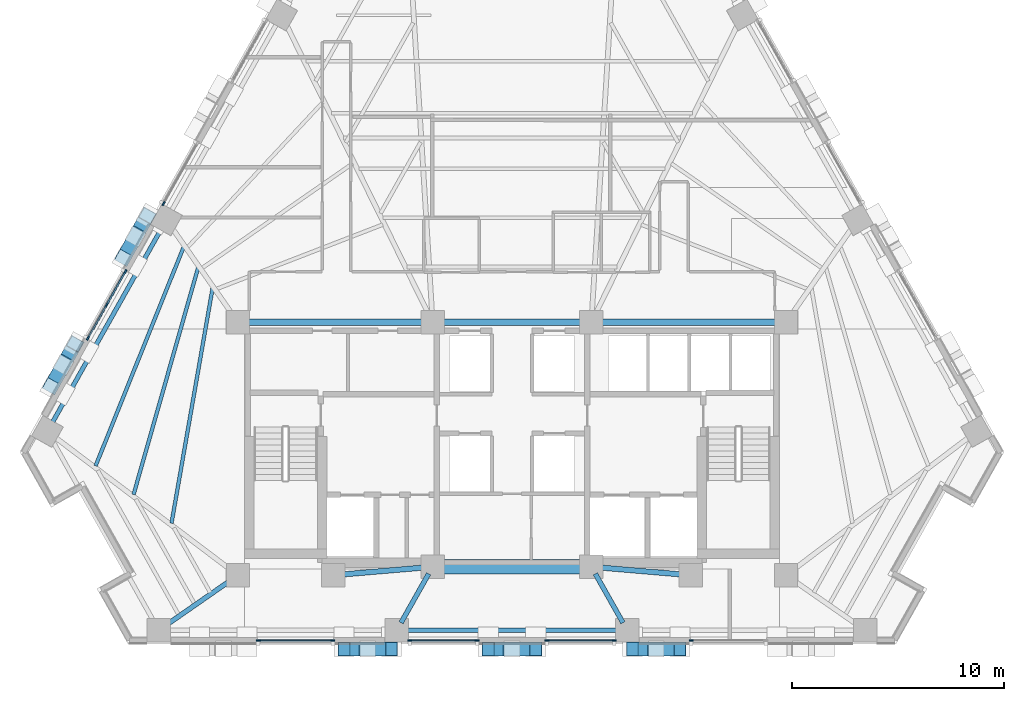
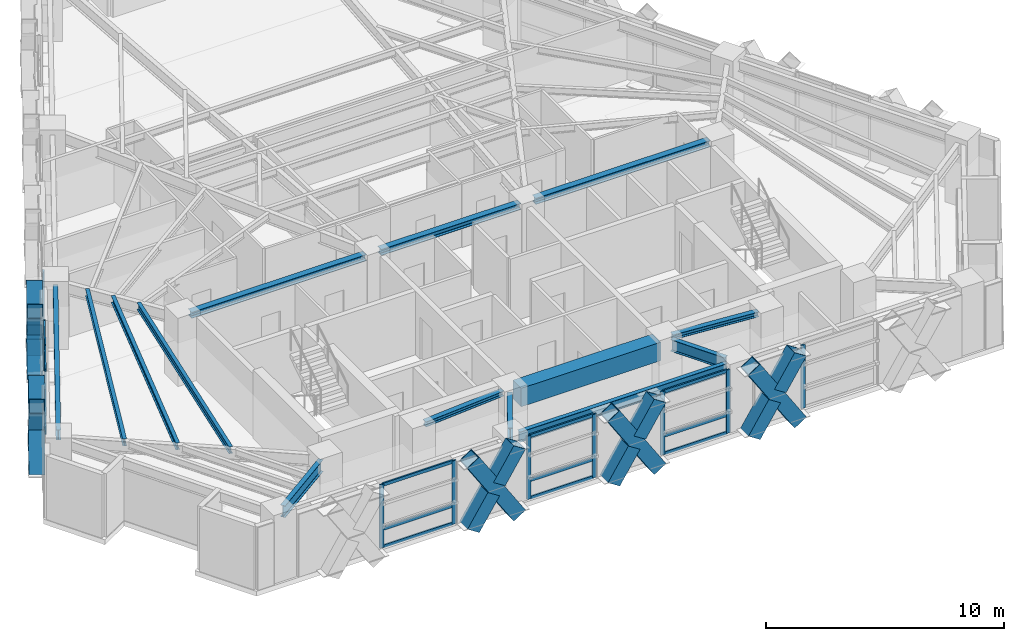
# One storey, part 2 of 14: 41 members, 14 beams, 6 elements without a shape of their own.
"""IFC4 building model written with IfcOpenShell, lengths in metres."""

import ifcopenshell
import ifcopenshell.guid

model = None  # the IFC model being written
_history = None  # IfcOwnerHistory: only IFC2X3 demands one
_inside = {}  # id of a spatial element -> (the spatial element, [elements in it])
_under = {}  # id of a project, library or spatial element -> (it, [spatial elements below it])
_declared = {}  # id of a project -> (the project, [libraries it declares])
_typed = {}  # id of a type object -> (the type object, [elements of that type])
_made_of = {}  # id of a material, layer set ... -> (it, [elements and type objects made of it])


def new_model(schema):
    """Start an empty IFC model of exactly this schema.

    Asked for "IFC4X3", IfcOpenShell would pick the latest addendum, in which some entities
    have other attributes; the version numbers below select the first issue.
    IFC2X3 requires an IfcOwnerHistory on every rooted entity: one is made here for all.
    """
    global model, _history
    if schema == "IFC4X3":
        model = ifcopenshell.file(schema_version=(4, 3, 0, 0))
    else:
        model = ifcopenshell.file(schema=schema)
    _inside.clear()
    _under.clear()
    _declared.clear()
    _typed.clear()
    _made_of.clear()
    _history = None
    if model.schema == "IFC2X3":
        org = make("IfcOrganization", Name="unknown")
        user = make(
            "IfcPersonAndOrganization",
            ThePerson=make("IfcPerson", FamilyName="unknown"),
            TheOrganization=org,
        )
        app = make(
            "IfcApplication",
            ApplicationDeveloper=org,
            Version="unknown",
            ApplicationFullName="unknown",
            ApplicationIdentifier="unknown",
        )
        _history = make(
            "IfcOwnerHistory",
            OwningUser=user,
            OwningApplication=app,
            ChangeAction="ADDED",
            CreationDate=0,
        )
    return model


def make(cls, **values):
    """One entity of the class cls with the attributes given. An attribute that is None is left unset."""
    return model.create_entity(
        cls, **{name: value for name, value in values.items() if value is not None}
    )


def rooted(cls, **values):
    """An entity with a GlobalId (a new one), such as an element, a storey or a relation."""
    return make(cls, GlobalId=ifcopenshell.guid.new(), OwnerHistory=_history, **values)


def si_unit(unit_type, name, prefix=None):
    """IfcSIUnit, for example si_unit("LENGTHUNIT", "METRE", prefix="MILLI")."""
    return make("IfcSIUnit", UnitType=unit_type, Prefix=prefix, Name=name)


def assignment(units):
    """IfcUnitAssignment: the units of a project."""
    return None if units is None else make("IfcUnitAssignment", Units=units)


def point(xyz):
    """IfcCartesianPoint."""
    return None if xyz is None else make("IfcCartesianPoint", Coordinates=xyz)


def direction(xyz):
    """IfcDirection."""
    return None if xyz is None else make("IfcDirection", DirectionRatios=xyz)


def frame(location, z_axis=None, x_axis=None):
    """IfcAxis2Placement3D, a coordinate frame: its origin and axes. An axis left out is left unset."""
    return make(
        "IfcAxis2Placement3D",
        Location=point(location),
        Axis=direction(z_axis),
        RefDirection=direction(x_axis),
    )


def frame_2d(location, x_axis=None):
    """IfcAxis2Placement2D, a coordinate frame in the plane: its origin and x axis."""
    return make(
        "IfcAxis2Placement2D", Location=point(location), RefDirection=direction(x_axis)
    )


def origin():
    """The frame at (0, 0, 0) with its axes left unset."""
    return frame((0.0, 0.0, 0.0))


def origin_2d():
    """The frame at (0, 0) in the plane with its x axis left unset."""
    return frame_2d((0.0, 0.0))


def place(relative_to, where):
    """IfcLocalPlacement: puts the frame where relative to a parent placement (None: the world)."""
    return make(
        "IfcLocalPlacement", PlacementRelTo=relative_to, RelativePlacement=where
    )


def context(
    kind, dimensions, precision=None, world=None, true_north=None, identifier=None
):
    """IfcGeometricRepresentationContext, for example the 3D "Model" context."""
    return make(
        "IfcGeometricRepresentationContext",
        ContextIdentifier=identifier,
        ContextType=kind,
        CoordinateSpaceDimension=dimensions,
        Precision=precision,
        WorldCoordinateSystem=world,
        TrueNorth=true_north,
    )


def subcontext(parent, identifier, kind, view, scale=None):
    """IfcGeometricRepresentationSubContext, for example "Body" below "Model"."""
    return make(
        "IfcGeometricRepresentationSubContext",
        ContextIdentifier=identifier,
        ContextType=kind,
        ParentContext=parent,
        TargetScale=scale,
        TargetView=view,
    )


def project(units=None, contexts=None):
    """IfcProject with its units and contexts."""
    return rooted(
        "IfcProject",
        Name="project",
        RepresentationContexts=contexts,
        UnitsInContext=assignment(units),
    )


def spatial(cls, under=None, at=None, **own):
    """A site, building, storey or space (cls), placed at a placement, below another one or the project."""
    s = rooted(cls, ObjectPlacement=at, **own)
    if under is not None:
        _under.setdefault(under.id(), (under, []))[1].append(s)
    return s


def profile(cls, at=None, kind="AREA", **sizes):
    """A parametric profile (cls). Its sizes go by their IFC names, for example OverallWidth=200.0."""
    return make(cls, ProfileType=kind, Position=at, **sizes)


def rectangle(**sizes):
    """IfcRectangleProfileDef."""
    return profile("IfcRectangleProfileDef", **sizes)


def hollow_rectangle(**sizes):
    """IfcRectangleHollowProfileDef."""
    return profile("IfcRectangleHollowProfileDef", **sizes)


def i_section(**sizes):
    """IfcIShapeProfileDef."""
    return profile("IfcIShapeProfileDef", **sizes)


def extrude(swept, where, along, depth):
    """IfcExtrudedAreaSolid: the profile swept, set in the frame where, extruded along a direction by depth."""
    return make(
        "IfcExtrudedAreaSolid",
        SweptArea=swept,
        Position=where,
        ExtrudedDirection=direction(along),
        Depth=depth,
    )


def shape(context_of_items, identifier, shape_type, items):
    """IfcShapeRepresentation: the items that make up one representation, for example the "Body"."""
    return make(
        "IfcShapeRepresentation",
        ContextOfItems=context_of_items,
        RepresentationIdentifier=identifier,
        RepresentationType=shape_type,
        Items=items,
    )


def material(Name=None, Category=None):
    """IfcMaterial."""
    return make("IfcMaterial", Name=Name, Category=Category)


def material_profile(
    of_material, cross_section, Name=None, Category=None, Priority=None
):
    """IfcMaterialProfile: a cross section and its material."""
    return make(
        "IfcMaterialProfile",
        Name=Name,
        Material=of_material,
        Profile=cross_section,
        Priority=Priority,
        Category=Category,
    )


def profile_set(profiles, Name=None, composite=None):
    """IfcMaterialProfileSet."""
    return make(
        "IfcMaterialProfileSet",
        Name=Name,
        MaterialProfiles=profiles,
        CompositeProfile=composite,
    )


def made_of(thing, what):
    """Note that an element or type object is made of a material, layer set ...; save() writes the relation."""
    if what is not None:
        _made_of.setdefault(what.id(), (what, []))[1].append(thing)
    return thing


def type_object(cls, material=None, **own):
    """A type object (cls), such as IfcWallType, which elements share."""
    return made_of(rooted(cls, **own), material)


def element(
    cls,
    number,
    at=None,
    inside=None,
    cuts=None,
    type_object=None,
    material=None,
    context=None,
    identifier="Body",
    shape_type=None,
    held_by="IfcProductDefinitionShape",
    body=None,
    shapes=None,
    **own,
):
    """One element of the class cls, such as IfcWall. Its Tag is "e" and its number.

    at: its placement. inside: the storey or other place that contains it. cuts: it is an
    opening in that element (IfcRelVoidsElement). A single representation is given by context,
    identifier, shape_type and body (its items); several are given by shapes. held_by: the class
    of the entity that holds the representations. save() writes the other relations.
    """
    e = rooted(cls, Tag="e%d" % number, ObjectPlacement=at, **own)
    if body is not None:
        shapes = [shape(context, identifier, shape_type, body)]
    if shapes is not None:
        e.Representation = make(held_by, Representations=shapes)
    if inside is not None:
        _inside.setdefault(inside.id(), (inside, []))[1].append(e)
    if cuts is not None:
        rooted(
            "IfcRelVoidsElement", RelatingBuildingElement=cuts, RelatedOpeningElement=e
        )
    if type_object is not None:
        _typed.setdefault(type_object.id(), (type_object, []))[1].append(e)
    return made_of(e, material)


def aggregate(whole, parts):
    """IfcRelAggregates: a whole, such as a stair, and the parts it consists of."""
    return rooted("IfcRelAggregates", RelatingObject=whole, RelatedObjects=parts)


def save(model, path):
    """Write the relations noted so far, then the file.

    IfcRelAggregates (storeys below a building ...), IfcRelContainedInSpatialStructure (elements
    in a storey), IfcRelDefinesByType, IfcRelAssociatesMaterial and IfcRelDeclares: one each for
    every whole, place, type object, material and project.
    """
    for whole, parts in _under.values():
        aggregate(whole, parts)
    for where, things in _inside.values():
        rooted(
            "IfcRelContainedInSpatialStructure",
            RelatedElements=things,
            RelatingStructure=where,
        )
    for kind, things in _typed.values():
        rooted("IfcRelDefinesByType", RelatedObjects=things, RelatingType=kind)
    for what, things in _made_of.values():
        rooted("IfcRelAssociatesMaterial", RelatedObjects=things, RelatingMaterial=what)
    for by, libraries in _declared.values():
        rooted("IfcRelDeclares", RelatingContext=by, RelatedDefinitions=libraries)
    model.write(path)


model = new_model("IFC4")

# Units and contexts
model_context = context("Model", 3, precision=1e-05, world=origin(), true_north=direction((0.0, 1.0)))
body_context = subcontext(model_context, "Body", "Model", "MODEL_VIEW")
ifc_project = project(units=[si_unit("LENGTHUNIT", "METRE"), si_unit("AREAUNIT", "SQUARE_METRE"), si_unit("VOLUMEUNIT", "CUBIC_METRE"), si_unit("PLANEANGLEUNIT", "RADIAN"), si_unit("MASSUNIT", "GRAM", prefix="KILO")], contexts=[model_context])

# Site, building, storey
site_placement = place(None, origin())
site = spatial("IfcSite", under=ifc_project, at=site_placement, CompositionType="ELEMENT")
building_placement = place(site_placement, origin())
building = spatial("IfcBuilding", under=site, at=building_placement, Name="Quenlor Broadcast Tower", CompositionType="ELEMENT")
storey_placement = place(building_placement, frame((0.0, 0.0, 123.0)))
storey = spatial("IfcBuildingStorey", under=building, at=storey_placement, Name="L33", CompositionType="ELEMENT", Elevation=123.0)

# Curtain wall, member
ifc_material_1 = material(Name="Architectural Terracotta and Low-E Glazing", Category="masonry")
curtain_wall_type = type_object("IfcCurtainWallType", Name="Unitised Terracotta Curtain Wall System Z2", PredefinedType="NOTDEFINED", material=ifc_material_1)
curtain_wall_1_placement = place(storey_placement, origin())
curtain_wall_1 = element("IfcCurtainWall", 1, at=curtain_wall_1_placement, inside=storey, type_object=curtain_wall_type, Name="L33 Curtain Wall CW2 (L33-SA-G1)", PredefinedType="NOTDEFINED")
ifc_material_2 = material(Name="Aluminium 6063-T6", Category="aluminium")
ifc_material_profile_1 = material_profile(ifc_material_2, rectangle(XDim=0.074951171875, YDim=0.199951171875, at=origin_2d()))
ifc_profile_set_1 = profile_set([ifc_material_profile_1], Name="Aluminium 6063-T6 MULL75x200")
member_type_1 = type_object("IfcMemberType", Name="CW2 Aluminium Mullion MULL_CW2", PredefinedType="MULLION", material=ifc_profile_set_1)
member_1_placement = place(storey_placement, frame((8.47119140625, -19.840087890625, 0.0), z_axis=(0.0, 0.0, 1.0), x_axis=(0.0, -1.0, 0.0)))
member_1 = element("IfcMember", 2, at=member_1_placement, type_object=member_type_1, Name="CW2 mullion 2", PredefinedType="MULLION", context=body_context, shape_type="SweptSolid", body=[
    extrude(rectangle(XDim=0.074951171875, YDim=0.199951171875, at=origin_2d()), origin(), (0.0, 0.0, 1.0), 3.25),
])
aggregate(curtain_wall_1, [member_1])

# Curtain wall, members
curtain_wall_2_placement = place(storey_placement, origin())
curtain_wall_2 = element("IfcCurtainWall", 3, at=curtain_wall_2_placement, inside=storey, type_object=curtain_wall_type, Name="L33 Curtain Wall CW2 (L33-SC-G1)", PredefinedType="NOTDEFINED")
member_2_placement = place(storey_placement, frame((-8.47119140625, -19.840087890625, 0.0), z_axis=(0.0, 0.0, 1.0), x_axis=(0.0, -1.0, 0.0)))
member_2 = element("IfcMember", 4, at=member_2_placement, type_object=member_type_1, Name="CW2 mullion 1", PredefinedType="MULLION", context=body_context, shape_type="SweptSolid", body=[
    extrude(rectangle(XDim=0.074951171875, YDim=0.199951171875, at=origin_2d()), origin(), (0.0, 0.0, 1.0), 3.25),
])
member_3_placement = place(storey_placement, frame((-11.981689453125, -19.840087890625, 0.0), z_axis=(0.0, 0.0, 1.0), x_axis=(0.0, -1.0, 0.0)))
member_3 = element("IfcMember", 5, at=member_3_placement, type_object=member_type_1, Name="CW2 mullion 2", PredefinedType="MULLION", context=body_context, shape_type="SweptSolid", body=[
    extrude(rectangle(XDim=0.074951171875, YDim=0.199951171875, at=origin_2d()), origin(), (0.0, 0.0, 1.0), 3.25),
])

curtain_wall_3_placement = place(storey_placement, origin())
curtain_wall_3 = element("IfcCurtainWall", 6, at=curtain_wall_3_placement, inside=storey, type_object=curtain_wall_type, Name="L33 Curtain Wall CW2 (L33-S-G1)", PredefinedType="NOTDEFINED")
member_4_placement = place(storey_placement, frame((4.835693359375, -19.840087890625, 0.0), z_axis=(0.0, 0.0, 1.0), x_axis=(0.0, -1.0, 0.0)))
member_4 = element("IfcMember", 7, at=member_4_placement, type_object=member_type_1, Name="CW2 mullion 1", PredefinedType="MULLION", context=body_context, shape_type="SweptSolid", body=[
    extrude(rectangle(XDim=0.074951171875, YDim=0.199951171875, at=origin_2d()), origin(), (0.0, 0.0, 1.0), 3.25),
])
member_5_placement = place(storey_placement, frame((1.653564453125, -19.840087890625, 0.0), z_axis=(0.0, 0.0, 1.0), x_axis=(0.0, -1.0, 0.0)))
member_5 = element("IfcMember", 8, at=member_5_placement, type_object=member_type_1, Name="CW2 mullion 2", PredefinedType="MULLION", context=body_context, shape_type="SweptSolid", body=[
    extrude(rectangle(XDim=0.074951171875, YDim=0.199951171875, at=origin_2d()), origin(), (0.0, 0.0, 1.0), 3.25),
])

curtain_wall_4_placement = place(storey_placement, origin())
curtain_wall_4 = element("IfcCurtainWall", 9, at=curtain_wall_4_placement, inside=storey, type_object=curtain_wall_type, Name="L33 Curtain Wall CW2 (L33-S-G2)", PredefinedType="NOTDEFINED")
member_6_placement = place(storey_placement, frame((-1.653564453125, -19.840087890625, 0.0), z_axis=(0.0, 0.0, 1.0), x_axis=(0.0, -1.0, 0.0)))
member_6 = element("IfcMember", 10, at=member_6_placement, type_object=member_type_1, Name="CW2 mullion 1", PredefinedType="MULLION", context=body_context, shape_type="SweptSolid", body=[
    extrude(rectangle(XDim=0.074951171875, YDim=0.199951171875, at=origin_2d()), origin(), (0.0, 0.0, 1.0), 3.25),
])
member_7_placement = place(storey_placement, frame((-4.835693359375, -19.840087890625, 0.0), z_axis=(0.0, 0.0, 1.0), x_axis=(0.0, -1.0, 0.0)))
member_7 = element("IfcMember", 11, at=member_7_placement, type_object=member_type_1, Name="CW2 mullion 2", PredefinedType="MULLION", context=body_context, shape_type="SweptSolid", body=[
    extrude(rectangle(XDim=0.074951171875, YDim=0.199951171875, at=origin_2d()), origin(), (0.0, 0.0, 1.0), 3.25),
])

curtain_wall_5_placement = place(storey_placement, origin())
curtain_wall_5 = element("IfcCurtainWall", 12, at=curtain_wall_5_placement, inside=storey, type_object=curtain_wall_type, Name="L33 Curtain Wall CW2 (L33-NWA-G1)", PredefinedType="NOTDEFINED")
member_8_placement = place(storey_placement, frame((-20.0400390625, -5.55322265625, 0.0), z_axis=(0.0, 0.0, 1.0), x_axis=(-0.871566839915, 0.490276701018, 0.0)))
member_8 = element("IfcMember", 13, at=member_8_placement, type_object=member_type_1, Name="CW2 mullion 1", PredefinedType="MULLION", context=body_context, shape_type="SweptSolid", body=[
    extrude(rectangle(XDim=0.074951171875, YDim=0.199951171875, at=origin_2d()), origin(), (0.0, 0.0, 1.0), 3.25),
])
member_9_placement = place(storey_placement, frame((-19.155029296875, -3.97998046875, 0.0), z_axis=(0.0, 0.0, 1.0), x_axis=(-0.871566839915, 0.490276701018, 0.0)))
member_9 = element("IfcMember", 14, at=member_9_placement, type_object=member_type_1, Name="CW2 mullion 2", PredefinedType="MULLION", context=body_context, shape_type="SweptSolid", body=[
    extrude(rectangle(XDim=0.074951171875, YDim=0.199951171875, at=origin_2d()), origin(), (0.0, 0.0, 1.0), 3.25),
])
member_10_placement = place(storey_placement, frame((-18.270263671875, -2.406982421875, 0.0), z_axis=(0.0, 0.0, 1.0), x_axis=(-0.871566839915, 0.490276701018, 0.0)))
member_10 = element("IfcMember", 15, at=member_10_placement, type_object=member_type_1, Name="CW2 mullion 3", PredefinedType="MULLION", context=body_context, shape_type="SweptSolid", body=[
    extrude(rectangle(XDim=0.074951171875, YDim=0.199951171875, at=origin_2d()), origin(), (0.0, 0.0, 1.0), 3.25),
])

# Curtain wall, member
curtain_wall_6_placement = place(storey_placement, origin())
curtain_wall_6 = element("IfcCurtainWall", 16, at=curtain_wall_6_placement, inside=storey, type_object=curtain_wall_type, Name="L33 Curtain Wall CW2 (L33-NW-G1)", PredefinedType="NOTDEFINED")
member_11_placement = place(storey_placement, frame((-16.459228515625, 0.812744140625, 0.0), z_axis=(0.0, 0.0, 1.0), x_axis=(-0.871575537123, 0.490261239636, 0.0)))
member_11 = element("IfcMember", 17, at=member_11_placement, type_object=member_type_1, Name="CW2 mullion 1", PredefinedType="MULLION", context=body_context, shape_type="SweptSolid", body=[
    extrude(rectangle(XDim=0.074951171875, YDim=0.199951171875, at=origin_2d()), origin(), (0.0, 0.0, 1.0), 3.25),
])
aggregate(curtain_wall_6, [member_11])

# Member
ifc_material_3 = material(Name="Aluminium 6063-T6", Category="aluminium")
ifc_material_profile_2 = material_profile(ifc_material_3, rectangle(XDim=0.074951171875, YDim=0.1650390625, at=origin_2d()))
ifc_profile_set_2 = profile_set([ifc_material_profile_2], Name="Aluminium 6063-T6 TRAN75x165")
member_type_2 = type_object("IfcMemberType", Name="CW2 Aluminium Transom TRAN_CW2", PredefinedType="USERDEFINED", material=ifc_profile_set_2)
member_12_placement = place(storey_placement, frame((-8.508544921875, -19.840087890625, 0.03759765625), z_axis=(-1.0, 0.0, 0.0), x_axis=(0.0, -1.0, 0.0)))
member_12 = element("IfcMember", 18, at=member_12_placement, type_object=member_type_2, Name="CW2 transom 1.1", ObjectType="TRANSOM", PredefinedType="USERDEFINED", context=body_context, shape_type="SweptSolid", body=[
    extrude(rectangle(XDim=0.074951171875, YDim=0.1650390625, at=origin_2d()), origin(), (0.0, 0.0, 1.0), 3.435546875),
])

member_13_placement = place(storey_placement, frame((-8.508544921875, -19.840087890625, 0.949951171875), z_axis=(-1.0, 0.0, 0.0), x_axis=(0.0, -1.0, 0.0)))
member_13 = element("IfcMember", 19, at=member_13_placement, type_object=member_type_2, Name="CW2 transom 1.2", ObjectType="TRANSOM", PredefinedType="USERDEFINED", context=body_context, shape_type="SweptSolid", body=[
    extrude(rectangle(XDim=0.074951171875, YDim=0.1650390625, at=origin_2d()), origin(), (0.0, 0.0, 1.0), 3.435546875),
])

member_14_placement = place(storey_placement, frame((-8.508544921875, -19.840087890625, 3.21240234375), z_axis=(-1.0, 0.0, 0.0), x_axis=(0.0, -1.0, 0.0)))
member_14 = element("IfcMember", 20, at=member_14_placement, type_object=member_type_2, Name="CW2 transom 1.3", ObjectType="TRANSOM", PredefinedType="USERDEFINED", context=body_context, shape_type="SweptSolid", body=[
    extrude(rectangle(XDim=0.074951171875, YDim=0.1650390625, at=origin_2d()), origin(), (0.0, 0.0, 1.0), 3.435546875),
])

aggregate(curtain_wall_2, [member_2, member_3, member_12, member_13, member_14])

member_15_placement = place(storey_placement, frame((4.798095703125, -19.840087890625, 0.03759765625), z_axis=(-1.0, 0.0, 0.0), x_axis=(0.0, -1.0, 0.0)))
member_15 = element("IfcMember", 21, at=member_15_placement, type_object=member_type_2, Name="CW2 transom 1.1", ObjectType="TRANSOM", PredefinedType="USERDEFINED", context=body_context, shape_type="SweptSolid", body=[
    extrude(rectangle(XDim=0.074951171875, YDim=0.1650390625, at=origin_2d()), origin(), (0.0, 0.0, 1.0), 3.107177734375),
])

member_16_placement = place(storey_placement, frame((4.798095703125, -19.840087890625, 0.949951171875), z_axis=(-1.0, 0.0, 0.0), x_axis=(0.0, -1.0, 0.0)))
member_16 = element("IfcMember", 22, at=member_16_placement, type_object=member_type_2, Name="CW2 transom 1.2", ObjectType="TRANSOM", PredefinedType="USERDEFINED", context=body_context, shape_type="SweptSolid", body=[
    extrude(rectangle(XDim=0.074951171875, YDim=0.1650390625, at=origin_2d()), origin(), (0.0, 0.0, 1.0), 3.107177734375),
])

member_17_placement = place(storey_placement, frame((4.798095703125, -19.840087890625, 3.21240234375), z_axis=(-1.0, 0.0, 0.0), x_axis=(0.0, -1.0, 0.0)))
member_17 = element("IfcMember", 23, at=member_17_placement, type_object=member_type_2, Name="CW2 transom 1.3", ObjectType="TRANSOM", PredefinedType="USERDEFINED", context=body_context, shape_type="SweptSolid", body=[
    extrude(rectangle(XDim=0.074951171875, YDim=0.1650390625, at=origin_2d()), origin(), (0.0, 0.0, 1.0), 3.107177734375),
])

aggregate(curtain_wall_3, [member_4, member_5, member_15, member_16, member_17])

member_18_placement = place(storey_placement, frame((-1.69091796875, -19.840087890625, 0.03759765625), z_axis=(-1.0, 0.0, 0.0), x_axis=(0.0, -1.0, 0.0)))
member_18 = element("IfcMember", 24, at=member_18_placement, type_object=member_type_2, Name="CW2 transom 1.1", ObjectType="TRANSOM", PredefinedType="USERDEFINED", context=body_context, shape_type="SweptSolid", body=[
    extrude(rectangle(XDim=0.074951171875, YDim=0.1650390625, at=origin_2d()), origin(), (0.0, 0.0, 1.0), 3.107177734375),
])

member_19_placement = place(storey_placement, frame((-1.69091796875, -19.840087890625, 0.949951171875), z_axis=(-1.0, 0.0, 0.0), x_axis=(0.0, -1.0, 0.0)))
member_19 = element("IfcMember", 25, at=member_19_placement, type_object=member_type_2, Name="CW2 transom 1.2", ObjectType="TRANSOM", PredefinedType="USERDEFINED", context=body_context, shape_type="SweptSolid", body=[
    extrude(rectangle(XDim=0.074951171875, YDim=0.1650390625, at=origin_2d()), origin(), (0.0, 0.0, 1.0), 3.107177734375),
])

member_20_placement = place(storey_placement, frame((-1.69091796875, -19.840087890625, 3.21240234375), z_axis=(-1.0, 0.0, 0.0), x_axis=(0.0, -1.0, 0.0)))
member_20 = element("IfcMember", 26, at=member_20_placement, type_object=member_type_2, Name="CW2 transom 1.3", ObjectType="TRANSOM", PredefinedType="USERDEFINED", context=body_context, shape_type="SweptSolid", body=[
    extrude(rectangle(XDim=0.074951171875, YDim=0.1650390625, at=origin_2d()), origin(), (0.0, 0.0, 1.0), 3.107177734375),
])

aggregate(curtain_wall_4, [member_6, member_7, member_18, member_19, member_20])

member_21_placement = place(storey_placement, frame((-20.021728515625, -5.5205078125, 0.03759765625), z_axis=(0.490261239633, 0.871575537125, 0.0), x_axis=(-0.871575537125, 0.490261239633, 0.0)))
member_21 = element("IfcMember", 27, at=member_21_placement, type_object=member_type_2, Name="CW2 transom 1.1", ObjectType="TRANSOM", PredefinedType="USERDEFINED", context=body_context, shape_type="SweptSolid", body=[
    extrude(rectangle(XDim=0.074951171875, YDim=0.1650390625, at=origin_2d()), origin(), (0.0, 0.0, 1.0), 1.72998046875),
])

member_22_placement = place(storey_placement, frame((-20.021728515625, -5.5205078125, 0.949951171875), z_axis=(0.490261239633, 0.871575537125, 0.0), x_axis=(-0.871575537125, 0.490261239633, 0.0)))
member_22 = element("IfcMember", 28, at=member_22_placement, type_object=member_type_2, Name="CW2 transom 1.2", ObjectType="TRANSOM", PredefinedType="USERDEFINED", context=body_context, shape_type="SweptSolid", body=[
    extrude(rectangle(XDim=0.074951171875, YDim=0.1650390625, at=origin_2d()), origin(), (0.0, 0.0, 1.0), 1.72998046875),
])

member_23_placement = place(storey_placement, frame((-20.021728515625, -5.5205078125, 3.21240234375), z_axis=(0.490261239633, 0.871575537125, 0.0), x_axis=(-0.871575537125, 0.490261239633, 0.0)))
member_23 = element("IfcMember", 29, at=member_23_placement, type_object=member_type_2, Name="CW2 transom 1.3", ObjectType="TRANSOM", PredefinedType="USERDEFINED", context=body_context, shape_type="SweptSolid", body=[
    extrude(rectangle(XDim=0.074951171875, YDim=0.1650390625, at=origin_2d()), origin(), (0.0, 0.0, 1.0), 1.72998046875),
])

member_24_placement = place(storey_placement, frame((-19.13671875, -3.947265625, 0.03759765625), z_axis=(0.490261239633, 0.871575537125, 0.0), x_axis=(-0.871575537125, 0.490261239633, 0.0)))
member_24 = element("IfcMember", 30, at=member_24_placement, type_object=member_type_2, Name="CW2 transom 2.1", ObjectType="TRANSOM", PredefinedType="USERDEFINED", context=body_context, shape_type="SweptSolid", body=[
    extrude(rectangle(XDim=0.074951171875, YDim=0.1650390625, at=origin_2d()), origin(), (0.0, 0.0, 1.0), 1.72998046875),
])

member_25_placement = place(storey_placement, frame((-19.13671875, -3.947265625, 0.949951171875), z_axis=(0.490261239633, 0.871575537125, 0.0), x_axis=(-0.871575537125, 0.490261239633, 0.0)))
member_25 = element("IfcMember", 31, at=member_25_placement, type_object=member_type_2, Name="CW2 transom 2.2", ObjectType="TRANSOM", PredefinedType="USERDEFINED", context=body_context, shape_type="SweptSolid", body=[
    extrude(rectangle(XDim=0.074951171875, YDim=0.1650390625, at=origin_2d()), origin(), (0.0, 0.0, 1.0), 1.72998046875),
])

member_26_placement = place(storey_placement, frame((-19.13671875, -3.947265625, 3.21240234375), z_axis=(0.490261239633, 0.871575537125, 0.0), x_axis=(-0.871575537125, 0.490261239633, 0.0)))
member_26 = element("IfcMember", 32, at=member_26_placement, type_object=member_type_2, Name="CW2 transom 2.3", ObjectType="TRANSOM", PredefinedType="USERDEFINED", context=body_context, shape_type="SweptSolid", body=[
    extrude(rectangle(XDim=0.074951171875, YDim=0.1650390625, at=origin_2d()), origin(), (0.0, 0.0, 1.0), 1.72998046875),
])

aggregate(curtain_wall_5, [member_8, member_9, member_10, member_21, member_22, member_23, member_24, member_25, member_26])

# Beams
ifc_material_4 = material(Name="Concrete C50/60", Category="concrete")
ifc_material_profile_3 = material_profile(ifc_material_4, rectangle(XDim=0.699951171875, YDim=0.949951171875, at=origin_2d()))
ifc_profile_set_3 = profile_set([ifc_material_profile_3], Name="Concrete C50/60 RCB700x950")
beam_type_1 = type_object("IfcBeamType", Name="Core Coupling Beam Concrete C50/60 700x950", PredefinedType="BEAM", material=ifc_profile_set_3)
beam_1_placement = place(storey_placement, frame((-3.389892578125, -16.35009765625, 2.77490234375), z_axis=(1.0, 0.0, 0.0), x_axis=(0.0, 1.0, 0.0)))
element("IfcBeam", 33, at=beam_1_placement, inside=storey, type_object=beam_type_1, Name="L33 Core Coupling Beam 6", PredefinedType="BEAM", context=body_context, shape_type="SweptSolid", body=[
    extrude(rectangle(XDim=0.699951171875, YDim=0.949951171875, at=origin_2d()), origin(), (0.0, 0.0, 1.0), 6.77978515625),
])
ifc_material_5 = material(Name="Steel S355", Category="steel")
ifc_material_profile_4 = material_profile(ifc_material_5, i_section(OverallWidth=0.304931640625, OverallDepth=0.30810546875, WebThickness=0.010009765625, FlangeThickness=0.015380859375, FilletRadius=0.0166015625, at=origin_2d()))
ifc_profile_set_4 = profile_set([ifc_material_profile_4], Name="Steel S355 310UC96.8")
beam_type_2 = type_object("IfcBeamType", Name="Core Header Beam Steel S355 310UC96.8", PredefinedType="BEAM", material=ifc_profile_set_4)
beam_2_placement = place(storey_placement, frame((-3.389892578125, -4.800048828125, 3.095947265625), z_axis=(1.0, 0.0, 0.0), x_axis=(0.0, 1.0, 0.0)))
element("IfcBeam", 34, at=beam_2_placement, inside=storey, type_object=beam_type_2, Name="L33 Core Header Beam 2", PredefinedType="BEAM", context=body_context, shape_type="SweptSolid", body=[
    extrude(i_section(OverallWidth=0.304931640625, OverallDepth=0.30810546875, WebThickness=0.010009765625, FlangeThickness=0.015380859375, FilletRadius=0.0166015625, at=origin_2d()), origin(), (0.0, 0.0, 1.0), 6.77978515625),
])
ifc_material_6 = material(Name="Steel S355", Category="steel")
ifc_material_profile_5 = material_profile(ifc_material_6, i_section(OverallWidth=0.25390625, OverallDepth=0.25390625, WebThickness=0.008544921875, FlangeThickness=0.01416015625, FilletRadius=0.013916015625, at=origin_2d()))
ifc_profile_set_5 = profile_set([ifc_material_profile_5], Name="Steel S355 250UC72.9")
beam_type_3 = type_object("IfcBeamType", Name="Core Opening Lintel Beam Steel S355 250UC72.9", PredefinedType="LINTEL", material=ifc_profile_set_5)
for number, where, z_axis, x_axis, name in (
    (35, (-8.09130859375, -16.719482421875, 3.123046875), (0.996399763903, 0.084779186679, 0.0), (-0.084779186679, 0.996399763903, 0.0), "L33 Core Opening Lintel Beam 4"),
    (36, (4.108642578125, -16.380615234375, 3.123046875), (0.996399763903, -0.084779186679, 0.0), (0.084779186679, 0.996399763903, 0.0), "L33 Core Opening Lintel Beam 5"),
):
    element("IfcBeam", number, at=place(storey_placement, frame(where, z_axis=z_axis, x_axis=x_axis)), inside=storey, type_object=beam_type_3, Name=name, PredefinedType="LINTEL", context=body_context, shape_type="SweptSolid", body=[
        extrude(i_section(OverallWidth=0.25390625, OverallDepth=0.25390625, WebThickness=0.008544921875, FlangeThickness=0.01416015625, FilletRadius=0.013916015625, at=origin_2d()), origin(), (0.0, 0.0, 1.0), 3.9970703125),
    ])
ifc_material_7 = material(Name="Steel S355", Category="steel")
ifc_material_profile_6 = material_profile(ifc_material_7, i_section(OverallWidth=0.306884765625, OverallDepth=0.314697265625, WebThickness=0.011962890625, FlangeThickness=0.018798828125, FilletRadius=0.0166015625, at=origin_2d()))
ifc_profile_set_6 = profile_set([ifc_material_profile_6], Name="Steel S355 310UC118")
beam_type_4 = type_object("IfcBeamType", Name="Core Tie Beam Steel S355 310UC118", PredefinedType="BEAM", material=ifc_profile_set_6)
for number, where, z_axis, x_axis, name in (
    (37, (-12.590087890625, -4.800048828125, 3.0927734375), (1.0, 0.0, 0.0), (0.0, 1.0, 0.0), "L33 Core Tie Beam 1"),
    (38, (4.110107421875, -4.800048828125, 3.0927734375), (1.0, 0.0, 0.0), (0.0, 1.0, 0.0), "L33 Core Tie Beam 3"),
):
    element("IfcBeam", number, at=place(storey_placement, frame(where, z_axis=z_axis, x_axis=x_axis)), inside=storey, type_object=beam_type_4, Name=name, PredefinedType="BEAM", context=body_context, shape_type="SweptSolid", body=[
        extrude(i_section(OverallWidth=0.306884765625, OverallDepth=0.314697265625, WebThickness=0.011962890625, FlangeThickness=0.018798828125, FilletRadius=0.0166015625, at=origin_2d()), origin(), (0.0, 0.0, 1.0), 8.47998046875),
    ])

# Members
ifc_material_8 = material(Name="Steel S355", Category="steel")
ifc_material_profile_7 = material_profile(ifc_material_8, hollow_rectangle(XDim=0.679931640625, YDim=0.679931640625, WallThickness=0.030029296875, at=origin_2d()))
ifc_profile_set_7 = profile_set([ifc_material_profile_7], Name="Steel S355 RHS680x680x30")
member_type_3 = type_object("IfcMemberType", Name="Perimeter Diagonal Lattice Brace Z2 Steel S355 RHS680x30", PredefinedType="BRACE", material=ifc_profile_set_7)
member_27_placement = place(storey_placement, frame((7.940185546875, -20.235107421875, -0.1201171875), z_axis=(-0.539926440573, 0.0, 0.841712206618), x_axis=(0.0, -1.0, 0.0)))
element("IfcMember", 39, at=member_27_placement, inside=storey, type_object=member_type_3, Name="L33 Perimeter Diamond Lattice S-C2XA", PredefinedType="BRACE", context=body_context, shape_type="SweptSolid", body=[
    extrude(hollow_rectangle(XDim=0.679931640625, YDim=0.679931640625, WallThickness=0.030029296875, at=origin_2d()), origin(), (0.0, 0.0, 1.0), 4.158203125),
])
member_28_placement = place(storey_placement, frame((5.695068359375, -20.235107421875, -0.1201171875), z_axis=(0.539860138754, 0.0, 0.841754733034), x_axis=(0.0, 1.0, 0.0)))
element("IfcMember", 40, at=member_28_placement, inside=storey, type_object=member_type_3, Name="L33 Perimeter Diamond Lattice S-C2XB1", PredefinedType="BRACE", context=body_context, shape_type="SweptSolid", body=[
    extrude(hollow_rectangle(XDim=0.679931640625, YDim=0.679931640625, WallThickness=0.030029296875, at=origin_2d()), origin(), (0.0, 0.0, 1.0), 1.829345703125),
])
member_29_placement = place(storey_placement, frame((6.95263671875, -20.235107421875, 1.84033203125), z_axis=(0.539920793993, 0.0, 0.841715828658), x_axis=(0.0, 1.0, 0.0)))
element("IfcMember", 41, at=member_29_placement, inside=storey, type_object=member_type_3, Name="L33 Perimeter Diamond Lattice S-C2XB2", PredefinedType="BRACE", context=body_context, shape_type="SweptSolid", body=[
    extrude(hollow_rectangle(XDim=0.679931640625, YDim=0.679931640625, WallThickness=0.030029296875, at=origin_2d()), origin(), (0.0, 0.0, 1.0), 1.8291015625),
])
member_30_placement = place(storey_placement, frame((1.12255859375, -20.235107421875, -0.1201171875), z_axis=(-0.539926440573, 0.0, 0.841712206618), x_axis=(0.0, -1.0, 0.0)))
element("IfcMember", 42, at=member_30_placement, inside=storey, type_object=member_type_3, Name="L33 Perimeter Diamond Lattice S-C3XA", PredefinedType="BRACE", context=body_context, shape_type="SweptSolid", body=[
    extrude(hollow_rectangle(XDim=0.679931640625, YDim=0.679931640625, WallThickness=0.030029296875, at=origin_2d()), origin(), (0.0, 0.0, 1.0), 4.158203125),
])
member_31_placement = place(storey_placement, frame((-1.12255859375, -20.235107421875, -0.1201171875), z_axis=(0.539860138754, 0.0, 0.841754733034), x_axis=(0.0, 1.0, 0.0)))
element("IfcMember", 43, at=member_31_placement, inside=storey, type_object=member_type_3, Name="L33 Perimeter Diamond Lattice S-C3XB1", PredefinedType="BRACE", context=body_context, shape_type="SweptSolid", body=[
    extrude(hollow_rectangle(XDim=0.679931640625, YDim=0.679931640625, WallThickness=0.030029296875, at=origin_2d()), origin(), (0.0, 0.0, 1.0), 1.829345703125),
])
member_32_placement = place(storey_placement, frame((0.135009765625, -20.235107421875, 1.84033203125), z_axis=(0.539920793993, 0.0, 0.841715828658), x_axis=(0.0, 1.0, 0.0)))
element("IfcMember", 44, at=member_32_placement, inside=storey, type_object=member_type_3, Name="L33 Perimeter Diamond Lattice S-C3XB2", PredefinedType="BRACE", context=body_context, shape_type="SweptSolid", body=[
    extrude(hollow_rectangle(XDim=0.679931640625, YDim=0.679931640625, WallThickness=0.030029296875, at=origin_2d()), origin(), (0.0, 0.0, 1.0), 1.8291015625),
])
member_33_placement = place(storey_placement, frame((-5.695068359375, -20.235107421875, -0.1201171875), z_axis=(-0.539926440573, 0.0, 0.841712206618), x_axis=(0.0, -1.0, 0.0)))
element("IfcMember", 45, at=member_33_placement, inside=storey, type_object=member_type_3, Name="L33 Perimeter Diamond Lattice S-C4XA", PredefinedType="BRACE", context=body_context, shape_type="SweptSolid", body=[
    extrude(hollow_rectangle(XDim=0.679931640625, YDim=0.679931640625, WallThickness=0.030029296875, at=origin_2d()), origin(), (0.0, 0.0, 1.0), 4.158203125),
])
member_34_placement = place(storey_placement, frame((-7.940185546875, -20.235107421875, -0.1201171875), z_axis=(0.539860138754, 0.0, 0.841754733034), x_axis=(0.0, 1.0, 0.0)))
element("IfcMember", 46, at=member_34_placement, inside=storey, type_object=member_type_3, Name="L33 Perimeter Diamond Lattice S-C4XB1", PredefinedType="BRACE", context=body_context, shape_type="SweptSolid", body=[
    extrude(hollow_rectangle(XDim=0.679931640625, YDim=0.679931640625, WallThickness=0.030029296875, at=origin_2d()), origin(), (0.0, 0.0, 1.0), 1.829345703125),
])
member_35_placement = place(storey_placement, frame((-6.6826171875, -20.235107421875, 1.84033203125), z_axis=(0.539920793993, 0.0, 0.841715828658), x_axis=(0.0, 1.0, 0.0)))
element("IfcMember", 47, at=member_35_placement, inside=storey, type_object=member_type_3, Name="L33 Perimeter Diamond Lattice S-C4XB2", PredefinedType="BRACE", context=body_context, shape_type="SweptSolid", body=[
    extrude(hollow_rectangle(XDim=0.679931640625, YDim=0.679931640625, WallThickness=0.030029296875, at=origin_2d()), origin(), (0.0, 0.0, 1.0), 1.8291015625),
])
member_36_placement = place(storey_placement, frame((-21.76806640625, -7.8193359375, -0.1201171875), z_axis=(0.268696511206, 0.477585438485, 0.836489290913), x_axis=(-0.871532878923, 0.490337068716, 0.0)))
element("IfcMember", 48, at=member_36_placement, inside=storey, type_object=member_type_3, Name="L33 Perimeter Diamond Lattice NW-C1XA", PredefinedType="BRACE", context=body_context, shape_type="SweptSolid", body=[
    extrude(hollow_rectangle(XDim=0.679931640625, YDim=0.679931640625, WallThickness=0.030029296875, at=origin_2d()), origin(), (0.0, 0.0, 1.0), 4.18408203125),
])
member_37_placement = place(storey_placement, frame((-20.643798828125, -5.821044921875, -0.1201171875), z_axis=(-0.268766711364, -0.477498254953, 0.836516509926), x_axis=(0.871439858367, -0.49050236824, 0.0)))
element("IfcMember", 49, at=member_37_placement, inside=storey, type_object=member_type_3, Name="L33 Perimeter Diamond Lattice NW-C1XB1", PredefinedType="BRACE", context=body_context, shape_type="SweptSolid", body=[
    extrude(hollow_rectangle(XDim=0.679931640625, YDim=0.679931640625, WallThickness=0.030029296875, at=origin_2d()), origin(), (0.0, 0.0, 1.0), 1.84228515625),
])
member_38_placement = place(storey_placement, frame((-21.273193359375, -6.939453125, 1.839111328125), z_axis=(-0.268656529223, -0.477670513725, 0.836453554971), x_axis=(0.871601370751, -0.490215310353, 0.0)))
element("IfcMember", 50, at=member_38_placement, inside=storey, type_object=member_type_3, Name="L33 Perimeter Diamond Lattice NW-C1XB2", PredefinedType="BRACE", context=body_context, shape_type="SweptSolid", body=[
    extrude(hollow_rectangle(XDim=0.679931640625, YDim=0.679931640625, WallThickness=0.030029296875, at=origin_2d()), origin(), (0.0, 0.0, 1.0), 1.842041015625),
])
member_39_placement = place(storey_placement, frame((-18.35498046875, -1.751708984375, -0.1201171875), z_axis=(0.268696511206, 0.477585438485, 0.836489290913), x_axis=(-0.871532878923, 0.490337068716, 0.0)))
element("IfcMember", 51, at=member_39_placement, inside=storey, type_object=member_type_3, Name="L33 Perimeter Diamond Lattice NW-C2XA", PredefinedType="BRACE", context=body_context, shape_type="SweptSolid", body=[
    extrude(hollow_rectangle(XDim=0.679931640625, YDim=0.679931640625, WallThickness=0.030029296875, at=origin_2d()), origin(), (0.0, 0.0, 1.0), 4.18408203125),
])
for number, where, z_axis, x_axis, name in (
    (52, (-17.230712890625, 0.24658203125, -0.1201171875), (-0.268643750061, -0.477515259729, 0.836546300141), (0.871543234879, -0.490318661421, 0.0), "L33 Perimeter Diamond Lattice NW-C2XB1"),
    (53, (-17.860107421875, -0.871826171875, 1.839111328125), (-0.268656529223, -0.477670513725, 0.836453554971), (0.871601370751, -0.490215310353, 0.0), "L33 Perimeter Diamond Lattice NW-C2XB2"),
):
    element("IfcMember", number, at=place(storey_placement, frame(where, z_axis=z_axis, x_axis=x_axis)), inside=storey, type_object=member_type_3, Name=name, PredefinedType="BRACE", context=body_context, shape_type="SweptSolid", body=[
        extrude(hollow_rectangle(XDim=0.679931640625, YDim=0.679931640625, WallThickness=0.030029296875, at=origin_2d()), origin(), (0.0, 0.0, 1.0), 1.842041015625),
    ])

# Beams
ifc_material_9 = material(Name="Steel S355", Category="steel")
ifc_material_profile_8 = material_profile(ifc_material_9, i_section(OverallWidth=0.208984375, OverallDepth=0.5283203125, WebThickness=0.009521484375, FlangeThickness=0.01318359375, FilletRadius=0.013916015625, at=origin_2d()))
ifc_profile_set_8 = profile_set([ifc_material_profile_8], Name="Steel S355 530UB82.0")
beam_type_5 = type_object("IfcBeamType", Name="Perimeter Spandrel Beam Z2 Steel S355 530UB82.0", PredefinedType="SPANDREL", material=ifc_profile_set_8)
beam_3_placement = place(storey_placement, frame((-5.033203125, -19.35009765625, 2.98583984375), z_axis=(1.0, 0.0, 0.0), x_axis=(0.0, 1.0, 0.0)))
element("IfcBeam", 54, at=beam_3_placement, inside=storey, type_object=beam_type_5, Name="L33 Spandrel Beam S2-S3", PredefinedType="SPANDREL", context=body_context, shape_type="SweptSolid", body=[
    extrude(i_section(OverallWidth=0.208984375, OverallDepth=0.5283203125, WebThickness=0.009521484375, FlangeThickness=0.01318359375, FilletRadius=0.013916015625, at=origin_2d()), origin(), (0.0, 0.0, 1.0), 10.06640625),
])
beam_4_placement = place(storey_placement, frame((-16.531005859375, -0.314453125, 2.98583984375), z_axis=(-0.490263415828, -0.871574313011, 0.0), x_axis=(0.871574313011, -0.490263415828, 0.0)))
element("IfcBeam", 55, at=beam_4_placement, inside=storey, type_object=beam_type_5, Name="L33 Spandrel Beam NW3-NW4", PredefinedType="SPANDREL", context=body_context, shape_type="SweptSolid", body=[
    extrude(i_section(OverallWidth=0.208984375, OverallDepth=0.5283203125, WebThickness=0.009521484375, FlangeThickness=0.01318359375, FilletRadius=0.013916015625, at=origin_2d()), origin(), (0.0, 0.0, 1.0), 10.65283203125),
])
ifc_material_10 = material(Name="Steel S355", Category="steel")
ifc_material_profile_9 = material_profile(ifc_material_10, i_section(OverallWidth=0.172119140625, OverallDepth=0.358642578125, WebThickness=0.008056640625, FlangeThickness=0.012939453125, FilletRadius=0.011474609375, at=origin_2d()))
ifc_profile_set_9 = profile_set([ifc_material_profile_9], Name="Steel S355 360UB56.7")
beam_type_6 = type_object("IfcBeamType", Name="Tower Composite Joist Z2-Z3 Steel S355 360UB56.7", PredefinedType="JOIST", material=ifc_profile_set_9)
beam_5_placement = place(storey_placement, frame((-16.087890625, -14.29345703125, 3.07080078125), z_axis=(0.172120396521, 0.985075920476, 0.0), x_axis=(-0.985075920476, 0.172120396521, 0.0)))
element("IfcBeam", 56, at=beam_5_placement, inside=storey, type_object=beam_type_6, Name="L33 Secondary Composite Joist 13", PredefinedType="JOIST", context=body_context, shape_type="SweptSolid", body=[
    extrude(i_section(OverallWidth=0.172119140625, OverallDepth=0.358642578125, WebThickness=0.008056640625, FlangeThickness=0.012939453125, FilletRadius=0.011474609375, at=origin_2d()), origin(), (0.0, 0.0, 1.0), 11.27783203125),
])
beam_6_placement = place(storey_placement, frame((-17.880615234375, -12.9365234375, 3.07080078125), z_axis=(0.273563993601, 0.96185380459, 0.0), x_axis=(-0.96185380459, 0.273563993601, 0.0)))
element("IfcBeam", 57, at=beam_6_placement, inside=storey, type_object=beam_type_6, Name="L33 Secondary Composite Joist 14", PredefinedType="JOIST", context=body_context, shape_type="SweptSolid", body=[
    extrude(i_section(OverallWidth=0.172119140625, OverallDepth=0.358642578125, WebThickness=0.008056640625, FlangeThickness=0.012939453125, FilletRadius=0.011474609375, at=origin_2d()), origin(), (0.0, 0.0, 1.0), 11.1484375),
])
beam_7_placement = place(storey_placement, frame((-19.673583984375, -11.580810546875, 3.07080078125), z_axis=(0.373180395983, 0.92775880058, 0.0), x_axis=(-0.92775880058, 0.373180395983, 0.0)))
element("IfcBeam", 58, at=beam_7_placement, inside=storey, type_object=beam_type_6, Name="L33 Secondary Composite Joist 15", PredefinedType="JOIST", context=body_context, shape_type="SweptSolid", body=[
    extrude(i_section(OverallWidth=0.172119140625, OverallDepth=0.358642578125, WebThickness=0.008056640625, FlangeThickness=0.012939453125, FilletRadius=0.011474609375, at=origin_2d()), origin(), (0.0, 0.0, 1.0), 11.143798828125),
])
ifc_material_11 = material(Name="Steel S355", Category="steel")
ifc_material_profile_10 = material_profile(ifc_material_11, i_section(OverallWidth=0.22802734375, OverallDepth=0.60205078125, WebThickness=0.010498046875, FlangeThickness=0.014892578125, FilletRadius=0.013916015625, at=origin_2d()))
ifc_profile_set_10 = profile_set([ifc_material_profile_10], Name="Steel S355 610UB101")
beam_type_7 = type_object("IfcBeamType", Name="Tower Primary Floor Beam Z2 Steel S355 610UB101", PredefinedType="BEAM", material=ifc_profile_set_10)
beam_8_placement = place(storey_placement, frame((-16.355712890625, -19.1162109375, 2.948974609375), z_axis=(0.821227395059, 0.570601056436, 0.0), x_axis=(-0.570601056436, 0.821227395059, 0.0)))
element("IfcBeam", 59, at=beam_8_placement, inside=storey, type_object=beam_type_7, Name="L33 Primary Radial Beam S1", PredefinedType="BEAM", context=body_context, shape_type="SweptSolid", body=[
    extrude(i_section(OverallWidth=0.22802734375, OverallDepth=0.60205078125, WebThickness=0.010498046875, FlangeThickness=0.014892578125, FilletRadius=0.013916015625, at=origin_2d()), origin(), (0.0, 0.0, 1.0), 3.766845703125),
])
for number, where, z_axis, x_axis, name in (
    (60, (-5.24169921875, -18.992919921875, 2.948974609375), (0.491526879548, 0.870862403989, 0.0), (-0.870862403989, 0.491526879548, 0.0), "L33 Primary Radial Beam S2"),
    (61, (5.24169921875, -18.992919921875, 2.948974609375), (-0.491526879548, 0.870862403989, 0.0), (-0.870862403989, -0.491526879548, 0.0), "L33 Primary Radial Beam S3"),
):
    element("IfcBeam", number, at=place(storey_placement, frame(where, z_axis=z_axis, x_axis=x_axis)), inside=storey, type_object=beam_type_7, Name=name, PredefinedType="BEAM", context=body_context, shape_type="SweptSolid", body=[
        extrude(i_section(OverallWidth=0.22802734375, OverallDepth=0.60205078125, WebThickness=0.010498046875, FlangeThickness=0.014892578125, FilletRadius=0.013916015625, at=origin_2d()), origin(), (0.0, 0.0, 1.0), 2.65478515625),
    ])

save(model, "model.ifc")
